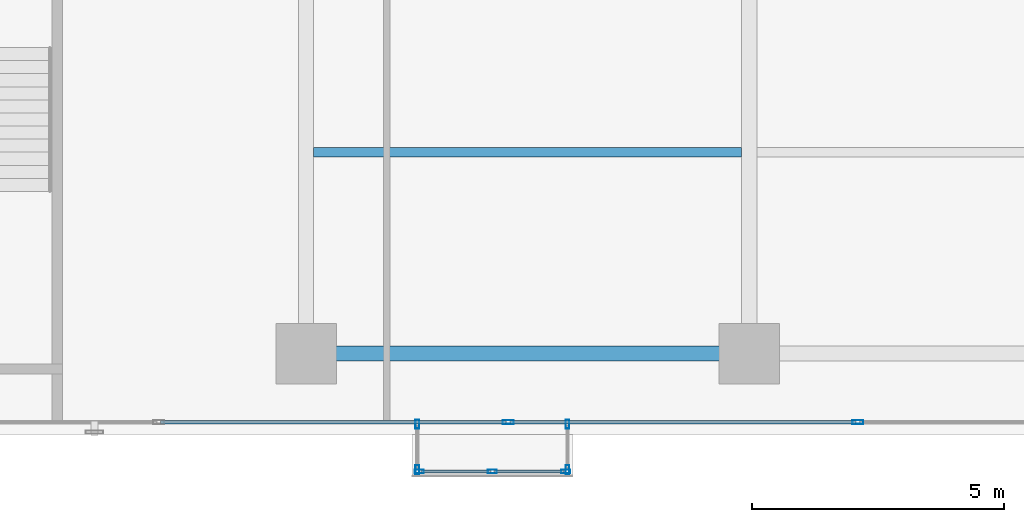
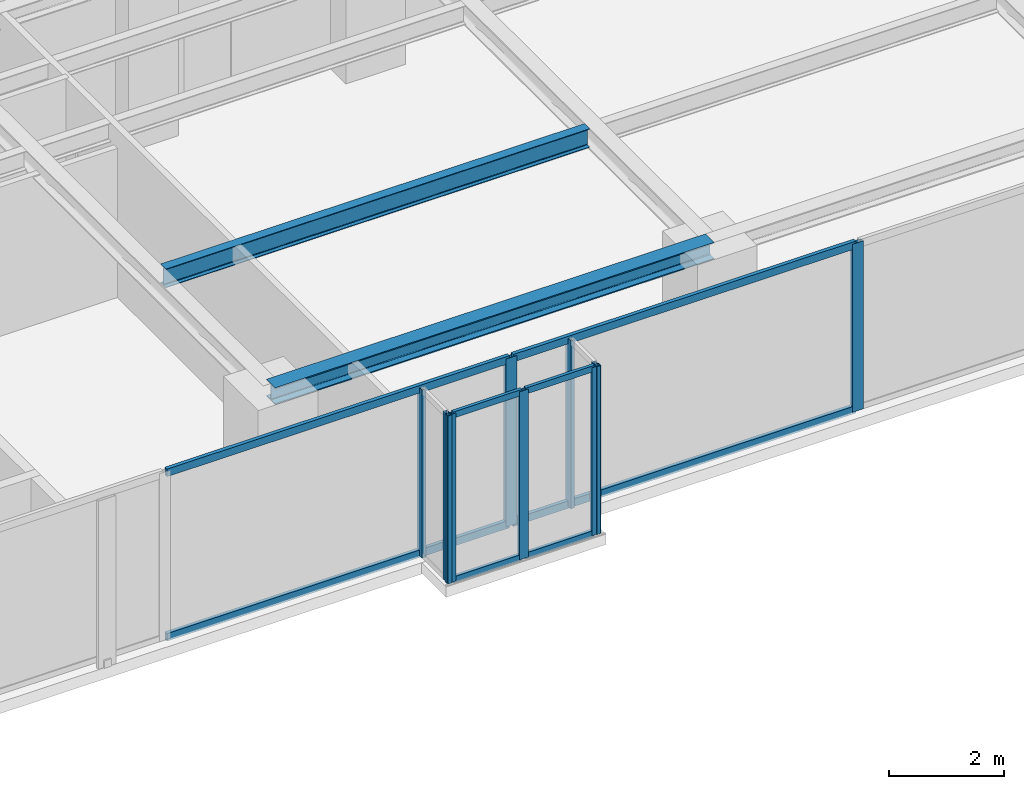
# One storey, part 10 of 26: 17 members, 2 beams, 4 elements without a shape of their own.
"""IFC4 building model written with IfcOpenShell, lengths in metres."""

from ifc_helpers import new_model, si_unit, direction, frame, origin, origin_with_axes, origin_2d, place, context, subcontext, project, spatial, hollow_rectangle, i_section, extrude, source, transform, mapped, material, layer, layer_set, material_profile, profile_set, type_object, element, aggregate, save


model = new_model("IFC4")

# Units and contexts
model_context = context("Model", 3, precision=1e-05, world=origin(), true_north=direction((0.0, 1.0)))
body_context = subcontext(model_context, "Body", "Model", "MODEL_VIEW")
ifc_project = project(units=[si_unit("LENGTHUNIT", "METRE"), si_unit("AREAUNIT", "SQUARE_METRE"), si_unit("VOLUMEUNIT", "CUBIC_METRE"), si_unit("PLANEANGLEUNIT", "RADIAN"), si_unit("MASSUNIT", "GRAM", prefix="KILO")], contexts=[model_context])

# Site, building, storey
site_placement = place(None, origin())
site = spatial("IfcSite", under=ifc_project, at=site_placement, CompositionType="ELEMENT")
building_placement = place(site_placement, origin())
building = spatial("IfcBuilding", under=site, at=building_placement, Name="Kolvaren Waterfront Exchange", CompositionType="ELEMENT")
storey_placement = place(building_placement, frame((0.0, 0.0, 180.39990234375)))
storey = spatial("IfcBuildingStorey", under=building, at=storey_placement, Name="L46", CompositionType="ELEMENT", Elevation=180.39990234375)

# Beams
ifc_material_1 = material(Name="Steel S355", Category="steel")
ifc_material_profile_1 = material_profile(ifc_material_1, i_section(OverallWidth=0.300048828125, OverallDepth=0.360107421875, WebThickness=0.012451171875, FlangeThickness=0.0224609375, FilletRadius=0.027099609375, at=origin_2d()), Name="HEB360")
ifc_profile_set_1 = profile_set([ifc_material_profile_1], Name="Steel S355")
beam_type_1 = type_object("IfcBeamType", Name="STR-BM-HEB360", PredefinedType="SPANDREL", material=ifc_profile_set_1)
beam_1_placement = place(storey_placement, frame((36.800048828125, 5.199951171875, 3.380126953125), z_axis=(1.0, 0.0, 0.0), x_axis=(0.0, 1.0, 0.0)))
element("IfcBeam", 1, at=beam_1_placement, inside=storey, type_object=beam_type_1, Name="L46 east-arm spandrel S3", PredefinedType="SPANDREL", context=body_context, shape_type="SweptSolid", body=[
    extrude(i_section(OverallWidth=0.300048828125, OverallDepth=0.360107421875, WebThickness=0.012451171875, FlangeThickness=0.0224609375, FilletRadius=0.027099609375, at=origin_2d()), origin(), (0.0, 0.0, 1.0), 8.800048828125),
])
ifc_material_profile_2 = material_profile(ifc_material_1, i_section(OverallWidth=0.179931640625, OverallDepth=0.39990234375, WebThickness=0.008544921875, FlangeThickness=0.013427734375, FilletRadius=0.02099609375, at=origin_2d()), Name="IPE400")
ifc_profile_set_2 = profile_set([ifc_material_profile_2], Name="Steel S355")
beam_type_2 = type_object("IfcBeamType", Name="STR-BM-IPE400", PredefinedType="JOIST", material=ifc_profile_set_2)
beam_2_placement = place(storey_placement, frame((36.951904296875, 9.199951171875, 3.360107421875), z_axis=(1.0, 0.0, 0.0), x_axis=(0.0, 1.0, 0.0)))
element("IfcBeam", 2, at=beam_2_placement, inside=storey, type_object=beam_type_2, Name="L46 east-arm composite joist 3B", PredefinedType="JOIST", context=body_context, shape_type="SweptSolid", body=[
    extrude(i_section(OverallWidth=0.179931640625, OverallDepth=0.39990234375, WebThickness=0.008544921875, FlangeThickness=0.013427734375, FilletRadius=0.02099609375, at=origin_2d()), origin(), (0.0, 0.0, 1.0), 8.49609375),
])

# Curtain wall, members
ifc_material_2 = material(Name="Anodised bronze aluminium 6063-T6", Category="aluminium")
ifc_layer_1 = layer(ifc_material_2, 0.219970703125, Name="Anodised bronze aluminium 6063-T6")
ifc_layer_set_1 = layer_set([ifc_layer_1], Name="Anodised bronze aluminium 6063-T6")
curtain_wall_type_1 = type_object("IfcCurtainWallType", Name="ARC-CW-SYS3", PredefinedType="USERDEFINED", material=ifc_layer_set_1)
curtain_wall_1_placement = place(storey_placement, origin())
curtain_wall_1 = element("IfcCurtainWall", 3, at=curtain_wall_1_placement, inside=storey, type_object=curtain_wall_type_1, Name="L46 stick curtain wall CW3 (CW-L46-BOX)", ObjectType="STICK CURTAIN WALL", PredefinedType="USERDEFINED")
ifc_material_profile_3 = material_profile(ifc_material_2, hollow_rectangle(XDim=0.06494140625, YDim=0.1298828125, WallThickness=0.00390625, at=origin_2d()), Name="ALU-TRN-130x65x4")
ifc_profile_set_3 = profile_set([ifc_material_profile_3], Name="Anodised bronze aluminium 6063-T6")
member_type_1 = type_object("IfcMemberType", Name="ARC-CWT-130", PredefinedType="USERDEFINED", material=ifc_profile_set_3)
shared_shape_1 = source(origin_with_axes(), body_context, "Body", "SweptSolid", [
    extrude(hollow_rectangle(XDim=0.06494140625, YDim=0.1298828125, WallThickness=0.00390625, at=origin_2d()), origin(), (0.0, 0.0, 1.0), 1.37744140625),
])
member_1_placement = place(storey_placement, frame((39.0849609375, 2.860107421875, 0.03271484375), z_axis=(1.0, 0.0, 0.0), x_axis=(0.0, 1.0, 0.0)))
member_1 = element("IfcMember", 4, at=member_1_placement, type_object=member_type_1, Name="CW3 transom 1.1", ObjectType="TRANSOM", PredefinedType="USERDEFINED", context=body_context, shape_type="MappedRepresentation", body=[
    mapped(shared_shape_1, transform((0.0, 0.0, 0.0), x_axis=(1.0, 0.0, 0.0), y_axis=(0.0, 1.0, 0.0), z_axis=(0.0, 0.0, 1.0), scale=1.0)),
])
member_2_placement = place(storey_placement, frame((39.0849609375, 2.860107421875, 3.527587890625), z_axis=(1.0, 0.0, 0.0), x_axis=(0.0, 1.0, 0.0)))
member_2 = element("IfcMember", 5, at=member_2_placement, type_object=member_type_1, Name="CW3 transom 1.2", ObjectType="TRANSOM", PredefinedType="USERDEFINED", context=body_context, shape_type="MappedRepresentation", body=[
    mapped(shared_shape_1, transform((0.0, 0.0, 0.0), x_axis=(1.0, 0.0, 0.0), y_axis=(0.0, 1.0, 0.0), z_axis=(0.0, 0.0, 1.0), scale=1.0)),
])
member_3_placement = place(storey_placement, frame((40.53759765625, 2.860107421875, 0.03271484375), z_axis=(1.0, 0.0, 0.0), x_axis=(0.0, 1.0, 0.0)))
member_3 = element("IfcMember", 6, at=member_3_placement, type_object=member_type_1, Name="CW3 transom 2.1", ObjectType="TRANSOM", PredefinedType="USERDEFINED", context=body_context, shape_type="MappedRepresentation", body=[
    mapped(shared_shape_1, transform((0.0, 0.0, 0.0), x_axis=(1.0, 0.0, 0.0), y_axis=(0.0, 1.0, 0.0), z_axis=(0.0, 0.0, 1.0), scale=1.0)),
])
member_4_placement = place(storey_placement, frame((40.53759765625, 2.860107421875, 3.527587890625), z_axis=(1.0, 0.0, 0.0), x_axis=(0.0, 1.0, 0.0)))
member_4 = element("IfcMember", 7, at=member_4_placement, type_object=member_type_1, Name="CW3 transom 2.2", ObjectType="TRANSOM", PredefinedType="USERDEFINED", context=body_context, shape_type="MappedRepresentation", body=[
    mapped(shared_shape_1, transform((0.0, 0.0, 0.0), x_axis=(1.0, 0.0, 0.0), y_axis=(0.0, 1.0, 0.0), z_axis=(0.0, 0.0, 1.0), scale=1.0)),
])

curtain_wall_2_placement = place(storey_placement, origin())
curtain_wall_2 = element("IfcCurtainWall", 8, at=curtain_wall_2_placement, inside=storey, type_object=curtain_wall_type_1, Name="L46 stick curtain wall CW3 (CW-L46-BOX-W)", ObjectType="STICK CURTAIN WALL", PredefinedType="USERDEFINED")
ifc_material_profile_4 = material_profile(ifc_material_2, hollow_rectangle(XDim=0.074951171875, YDim=0.179931640625, WallThickness=0.00439453125, at=origin_2d()), Name="ALU-MUL-180x75x4.5")
ifc_profile_set_4 = profile_set([ifc_material_profile_4], Name="Anodised bronze aluminium 6063-T6")
member_type_2 = type_object("IfcMemberType", Name="ARC-CWM-180", PredefinedType="MULLION", material=ifc_profile_set_4)
shared_shape_2 = source(origin_with_axes(), body_context, "Body", "SweptSolid", [
    extrude(hollow_rectangle(XDim=0.074951171875, YDim=0.179931640625, WallThickness=0.00439453125, at=origin_2d()), origin(), (0.0, 0.0, 1.0), 3.56005859375),
])
member_5_placement = place(storey_placement, frame((39.010009765625, 3.802490234375, 0.0), z_axis=(0.0, 0.0, 1.0), x_axis=(1.0, 0.0, 0.0)))
member_5 = element("IfcMember", 9, at=member_5_placement, type_object=member_type_2, Name="CW3 mullion 1", PredefinedType="MULLION", context=body_context, shape_type="MappedRepresentation", body=[
    mapped(shared_shape_2, transform((0.0, 0.0, 0.0), x_axis=(1.0, 0.0, 0.0), y_axis=(0.0, 1.0, 0.0), z_axis=(0.0, 0.0, 1.0), scale=1.0)),
])
member_6_placement = place(storey_placement, frame((39.010009765625, 2.8974609375, 0.0), z_axis=(0.0, 0.0, 1.0), x_axis=(1.0, 0.0, 0.0)))
member_6 = element("IfcMember", 10, at=member_6_placement, type_object=member_type_2, Name="CW3 mullion 2", PredefinedType="MULLION", context=body_context, shape_type="MappedRepresentation", body=[
    mapped(shared_shape_2, transform((0.0, 0.0, 0.0), x_axis=(1.0, 0.0, 0.0), y_axis=(0.0, 1.0, 0.0), z_axis=(0.0, 0.0, 1.0), scale=1.0)),
])
aggregate(curtain_wall_2, [member_5, member_6])

# Member
member_7_placement = place(storey_placement, frame((39.047607421875, 2.860107421875, 0.0), z_axis=(0.0, 0.0, 1.0), x_axis=(0.0, 1.0, 0.0)))
member_7 = element("IfcMember", 11, at=member_7_placement, type_object=member_type_2, Name="CW3 mullion 1", PredefinedType="MULLION", context=body_context, shape_type="MappedRepresentation", body=[
    mapped(shared_shape_2, transform((0.0, 0.0, 0.0), x_axis=(1.0, 0.0, 0.0), y_axis=(0.0, 1.0, 0.0), z_axis=(0.0, 0.0, 1.0), scale=1.0)),
])

member_8_placement = place(storey_placement, frame((40.5, 2.860107421875, 0.0), z_axis=(0.0, 0.0, 1.0), x_axis=(0.0, 1.0, 0.0)))
member_8 = element("IfcMember", 12, at=member_8_placement, type_object=member_type_2, Name="CW3 mullion 2", PredefinedType="MULLION", context=body_context, shape_type="MappedRepresentation", body=[
    mapped(shared_shape_2, transform((0.0, 0.0, 0.0), x_axis=(1.0, 0.0, 0.0), y_axis=(0.0, 1.0, 0.0), z_axis=(0.0, 0.0, 1.0), scale=1.0)),
])

member_9_placement = place(storey_placement, frame((41.952392578125, 2.860107421875, 0.0), z_axis=(0.0, 0.0, 1.0), x_axis=(0.0, 1.0, 0.0)))
member_9 = element("IfcMember", 13, at=member_9_placement, type_object=member_type_2, Name="CW3 mullion 3", PredefinedType="MULLION", context=body_context, shape_type="MappedRepresentation", body=[
    mapped(shared_shape_2, transform((0.0, 0.0, 0.0), x_axis=(1.0, 0.0, 0.0), y_axis=(0.0, 1.0, 0.0), z_axis=(0.0, 0.0, 1.0), scale=1.0)),
])

aggregate(curtain_wall_1, [member_7, member_8, member_9, member_1, member_2, member_3, member_4])

# Curtain wall, members
curtain_wall_3_placement = place(storey_placement, origin())
curtain_wall_3 = element("IfcCurtainWall", 14, at=curtain_wall_3_placement, inside=storey, type_object=curtain_wall_type_1, Name="L46 stick curtain wall CW3 (CW-L46-BOX-E)", ObjectType="STICK CURTAIN WALL", PredefinedType="USERDEFINED")
member_10_placement = place(storey_placement, frame((41.989990234375, 2.8974609375, 0.0), z_axis=(0.0, 0.0, 1.0), x_axis=(-1.0, 0.0, 0.0)))
member_10 = element("IfcMember", 15, at=member_10_placement, type_object=member_type_2, Name="CW3 mullion 1", PredefinedType="MULLION", context=body_context, shape_type="MappedRepresentation", body=[
    mapped(shared_shape_2, transform((0.0, 0.0, 0.0), x_axis=(1.0, 0.0, 0.0), y_axis=(0.0, 1.0, 0.0), z_axis=(0.0, 0.0, 1.0), scale=1.0)),
])
member_11_placement = place(storey_placement, frame((41.989990234375, 3.802490234375, 0.0), z_axis=(0.0, 0.0, 1.0), x_axis=(-1.0, 0.0, 0.0)))
member_11 = element("IfcMember", 16, at=member_11_placement, type_object=member_type_2, Name="CW3 mullion 2", PredefinedType="MULLION", context=body_context, shape_type="MappedRepresentation", body=[
    mapped(shared_shape_2, transform((0.0, 0.0, 0.0), x_axis=(1.0, 0.0, 0.0), y_axis=(0.0, 1.0, 0.0), z_axis=(0.0, 0.0, 1.0), scale=1.0)),
])
aggregate(curtain_wall_3, [member_10, member_11])

ifc_layer_2 = layer(ifc_material_2, 0.219970703125, Name="Anodised bronze aluminium 6063-T6")
ifc_layer_set_2 = layer_set([ifc_layer_2], Name="Anodised bronze aluminium 6063-T6")
curtain_wall_type_2 = type_object("IfcCurtainWallType", Name="ARC-CW-SYS1", PredefinedType="USERDEFINED", material=ifc_layer_set_2)
curtain_wall_4_placement = place(storey_placement, origin())
curtain_wall_4 = element("IfcCurtainWall", 17, at=curtain_wall_4_placement, inside=storey, type_object=curtain_wall_type_2, Name="L46 stick curtain wall CW1 (CW-L46-S)", ObjectType="STICK CURTAIN WALL", PredefinedType="USERDEFINED")
ifc_material_3 = material(Name="Anodised aluminium 6063-T6", Category="aluminium")
ifc_material_profile_5 = material_profile(ifc_material_3, hollow_rectangle(XDim=0.080078125, YDim=0.219970703125, WallThickness=0.0048828125, at=origin_2d()), Name="ALU-MUL-220x80x5")
ifc_profile_set_5 = profile_set([ifc_material_profile_5], Name="Anodised aluminium 6063-T6")
member_type_3 = type_object("IfcMemberType", Name="ARC-CWM-220", PredefinedType="MULLION", material=ifc_profile_set_5)
shared_shape_3 = source(origin_with_axes(), body_context, "Body", "SweptSolid", [
    extrude(hollow_rectangle(XDim=0.080078125, YDim=0.219970703125, WallThickness=0.0048828125, at=origin_2d()), origin(), (0.0, 0.0, 1.0), 3.56005859375),
])
member_12_placement = place(storey_placement, frame((40.814208984375, 3.840087890625, 0.0), z_axis=(0.0, 0.0, 1.0), x_axis=(0.0, 1.0, 0.0)))
member_12 = element("IfcMember", 18, at=member_12_placement, type_object=member_type_3, Name="CW1 mullion 6", PredefinedType="MULLION", context=body_context, shape_type="MappedRepresentation", body=[
    mapped(shared_shape_3, transform((0.0, 0.0, 0.0), x_axis=(1.0, 0.0, 0.0), y_axis=(0.0, 1.0, 0.0), z_axis=(0.0, 0.0, 1.0), scale=1.0)),
])
member_13_placement = place(storey_placement, frame((47.757080078125, 3.840087890625, 0.0), z_axis=(0.0, 0.0, 1.0), x_axis=(0.0, 1.0, 0.0)))
member_13 = element("IfcMember", 19, at=member_13_placement, type_object=member_type_3, Name="CW1 mullion 7", PredefinedType="MULLION", context=body_context, shape_type="MappedRepresentation", body=[
    mapped(shared_shape_3, transform((0.0, 0.0, 0.0), x_axis=(1.0, 0.0, 0.0), y_axis=(0.0, 1.0, 0.0), z_axis=(0.0, 0.0, 1.0), scale=1.0)),
])
ifc_material_profile_6 = material_profile(ifc_material_3, hollow_rectangle(XDim=0.074951171875, YDim=0.159912109375, WallThickness=0.00439453125, at=origin_2d()), Name="ALU-TRN-160x75x4.5")
ifc_profile_set_6 = profile_set([ifc_material_profile_6], Name="Anodised aluminium 6063-T6")
member_type_4 = type_object("IfcMemberType", Name="ARC-CWT-160", PredefinedType="USERDEFINED", material=ifc_profile_set_6)
shared_shape_4 = source(origin_with_axes(), body_context, "Body", "SweptSolid", [
    extrude(hollow_rectangle(XDim=0.074951171875, YDim=0.159912109375, WallThickness=0.00439453125, at=origin_2d()), origin(), (0.0, 0.0, 1.0), 6.86279296875),
])
member_14_placement = place(storey_placement, frame((33.911376953125, 3.840087890625, 0.03759765625), z_axis=(1.0, 0.0, 0.0), x_axis=(0.0, 1.0, 0.0)))
member_14 = element("IfcMember", 20, at=member_14_placement, type_object=member_type_4, Name="CW1 transom 5.1", ObjectType="TRANSOM", PredefinedType="USERDEFINED", context=body_context, shape_type="MappedRepresentation", body=[
    mapped(shared_shape_4, transform((0.0, 0.0, 0.0), x_axis=(1.0, 0.0, 0.0), y_axis=(0.0, 1.0, 0.0), z_axis=(0.0, 0.0, 1.0), scale=1.0)),
])
member_15_placement = place(storey_placement, frame((33.911376953125, 3.840087890625, 3.522705078125), z_axis=(1.0, 0.0, 0.0), x_axis=(0.0, 1.0, 0.0)))
member_15 = element("IfcMember", 21, at=member_15_placement, type_object=member_type_4, Name="CW1 transom 5.2", ObjectType="TRANSOM", PredefinedType="USERDEFINED", context=body_context, shape_type="MappedRepresentation", body=[
    mapped(shared_shape_4, transform((0.0, 0.0, 0.0), x_axis=(1.0, 0.0, 0.0), y_axis=(0.0, 1.0, 0.0), z_axis=(0.0, 0.0, 1.0), scale=1.0)),
])
member_16_placement = place(storey_placement, frame((40.854248046875, 3.840087890625, 0.03759765625), z_axis=(1.0, 0.0, 0.0), x_axis=(0.0, 1.0, 0.0)))
member_16 = element("IfcMember", 22, at=member_16_placement, type_object=member_type_4, Name="CW1 transom 6.1", ObjectType="TRANSOM", PredefinedType="USERDEFINED", context=body_context, shape_type="MappedRepresentation", body=[
    mapped(shared_shape_4, transform((0.0, 0.0, 0.0), x_axis=(1.0, 0.0, 0.0), y_axis=(0.0, 1.0, 0.0), z_axis=(0.0, 0.0, 1.0), scale=1.0)),
])
member_17_placement = place(storey_placement, frame((40.854248046875, 3.840087890625, 3.522705078125), z_axis=(1.0, 0.0, 0.0), x_axis=(0.0, 1.0, 0.0)))
member_17 = element("IfcMember", 23, at=member_17_placement, type_object=member_type_4, Name="CW1 transom 6.2", ObjectType="TRANSOM", PredefinedType="USERDEFINED", context=body_context, shape_type="MappedRepresentation", body=[
    mapped(shared_shape_4, transform((0.0, 0.0, 0.0), x_axis=(1.0, 0.0, 0.0), y_axis=(0.0, 1.0, 0.0), z_axis=(0.0, 0.0, 1.0), scale=1.0)),
])
aggregate(curtain_wall_4, [member_12, member_13, member_14, member_15, member_16, member_17])

save(model, "model.ifc")
